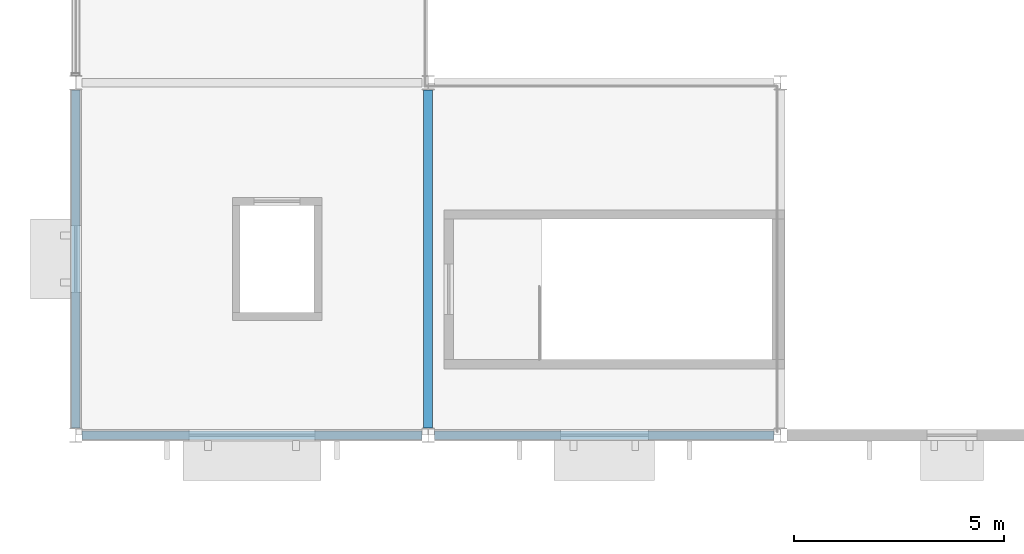
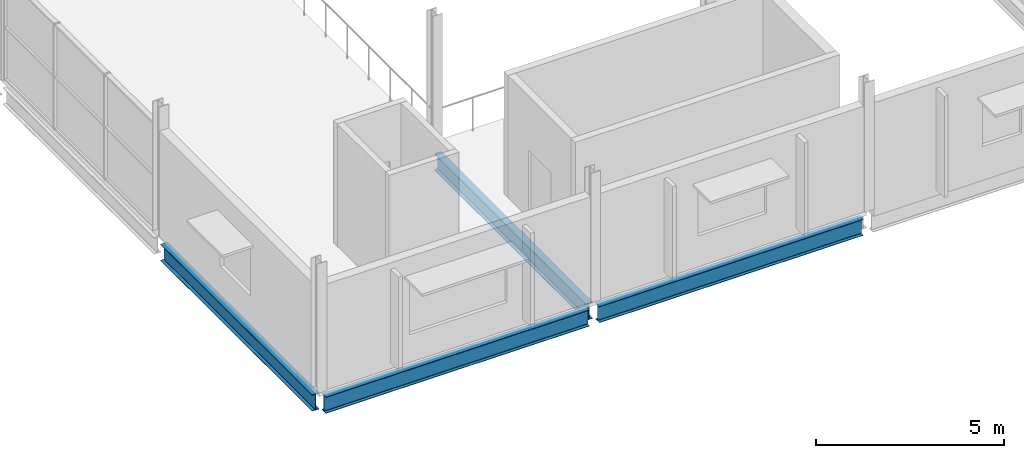
# One storey, part 9 of 68: 4 beams.
"""IFC4 building model written with IfcOpenShell, lengths in metres."""

from ifc_helpers import new_model, si_unit, direction, frame, origin, origin_2d, place, context, subcontext, project, spatial, i_section, extrude, material, material_profile, profile_set, type_object, element, save


model = new_model("IFC4")

# Units and contexts
model_context = context("Model", 3, precision=1e-05, world=origin(), true_north=direction((0.0, 1.0)))
body_context = subcontext(model_context, "Body", "Model", "MODEL_VIEW")
ifc_project = project(units=[si_unit("LENGTHUNIT", "METRE"), si_unit("AREAUNIT", "SQUARE_METRE"), si_unit("VOLUMEUNIT", "CUBIC_METRE"), si_unit("PLANEANGLEUNIT", "RADIAN"), si_unit("MASSUNIT", "GRAM", prefix="KILO"), si_unit("THERMODYNAMICTEMPERATUREUNIT", "KELVIN")], contexts=[model_context])

# Site, building, storey
site_placement = place(None, origin())
site = spatial("IfcSite", under=ifc_project, at=site_placement, CompositionType="ELEMENT")
building_placement = place(site_placement, origin())
building = spatial("IfcBuilding", under=site, at=building_placement, Name="Nduvali Passage Aquatics Centre", CompositionType="ELEMENT")
storey_placement = place(building_placement, frame((0.0, 0.0, 13.199951171875)))
storey = spatial("IfcBuildingStorey", under=building, at=storey_placement, Name="L03", CompositionType="ELEMENT", Elevation=13.199951171875)

# Beams
ifc_material = material(Name="Steel S355", Category="steel")
ifc_material_profile_1 = material_profile(ifc_material, i_section(OverallWidth=0.210693359375, OverallDepth=0.53955078125, WebThickness=0.01171875, FlangeThickness=0.018798828125, FilletRadius=0.0126953125, at=origin_2d()), Name="UKB 533x210x109")
ifc_profile_set_1 = profile_set([ifc_material_profile_1], Name="Steel S355")
beam_type_1 = type_object("IfcBeamType", Name="STR-BM-UKB533", PredefinedType="BEAM", material=ifc_profile_set_1)
beam_1_placement = place(storey_placement, frame((8.39990234375, 33.77001953125, -0.523681640625), z_axis=(0.0, 1.0, 0.0), x_axis=(-1.0, 0.0, 0.0)))
element("IfcBeam", 1, at=beam_1_placement, inside=storey, type_object=beam_type_1, Name="L03 Primary Y-Girder B6-1245", PredefinedType="BEAM", context=body_context, shape_type="SweptSolid", body=[
    extrude(i_section(OverallWidth=0.210693359375, OverallDepth=0.53955078125, WebThickness=0.01171875, FlangeThickness=0.018798828125, FilletRadius=0.0126953125, at=origin_2d()), origin(), (0.0, 0.0, 1.0), 8.06005859375),
])
ifc_material_profile_2 = material_profile(ifc_material, i_section(OverallWidth=0.210693359375, OverallDepth=0.53955078125, WebThickness=0.01171875, FlangeThickness=0.018798828125, FilletRadius=0.0126953125, at=origin_2d()), Name="UKB 533x210x109")
ifc_profile_set_2 = profile_set([ifc_material_profile_2], Name="Steel S355")
beam_type_2 = type_object("IfcBeamType", Name="STR-BM-UKB533-EXT", PredefinedType="BEAM", material=ifc_profile_set_2)
beam_2_placement = place(storey_placement, frame((0.0, 33.77001953125, -0.523681640625), z_axis=(0.0, 1.0, 0.0), x_axis=(-1.0, 0.0, 0.0)))
element("IfcBeam", 2, at=beam_2_placement, inside=storey, type_object=beam_type_2, Name="L03 Primary Y-Girder B6E-1239", PredefinedType="BEAM", context=body_context, shape_type="SweptSolid", body=[
    extrude(i_section(OverallWidth=0.210693359375, OverallDepth=0.53955078125, WebThickness=0.01171875, FlangeThickness=0.018798828125, FilletRadius=0.0126953125, at=origin_2d()), origin(), (0.0, 0.0, 1.0), 8.06005859375),
])
ifc_material_profile_3 = material_profile(ifc_material, i_section(OverallWidth=0.209228515625, OverallDepth=0.533203125, WebThickness=0.010009765625, FlangeThickness=0.015625, FilletRadius=0.0126953125, at=origin_2d()), Name="UKB 533x210x92")
ifc_profile_set_3 = profile_set([ifc_material_profile_3], Name="Steel S355")
beam_type_3 = type_object("IfcBeamType", Name="STR-BM-UKB533L", PredefinedType="BEAM", material=ifc_profile_set_3)
beam_3_placement = place(storey_placement, frame((0.14990234375, 33.60009765625, -0.5205078125), z_axis=(1.0, 0.0, 0.0), x_axis=(0.0, 1.0, 0.0)))
element("IfcBeam", 3, at=beam_3_placement, inside=storey, type_object=beam_type_3, Name="L03 Primary X-Girder B6A-1205", PredefinedType="BEAM", context=body_context, shape_type="SweptSolid", body=[
    extrude(i_section(OverallWidth=0.209228515625, OverallDepth=0.533203125, WebThickness=0.010009765625, FlangeThickness=0.015625, FilletRadius=0.0126953125, at=origin_2d()), origin(), (0.0, 0.0, 1.0), 8.10009765625),
])
beam_4_placement = place(storey_placement, frame((8.550048828125, 33.60009765625, -0.5205078125), z_axis=(1.0, 0.0, 0.0), x_axis=(0.0, 1.0, 0.0)))
element("IfcBeam", 4, at=beam_4_placement, inside=storey, type_object=beam_type_3, Name="L03 Primary X-Girder B6A-1206", PredefinedType="BEAM", context=body_context, shape_type="SweptSolid", body=[
    extrude(i_section(OverallWidth=0.209228515625, OverallDepth=0.533203125, WebThickness=0.010009765625, FlangeThickness=0.015625, FilletRadius=0.0126953125, at=origin_2d()), origin(), (0.0, 0.0, 1.0), 8.099853515625),
])

save(model, "model.ifc")
